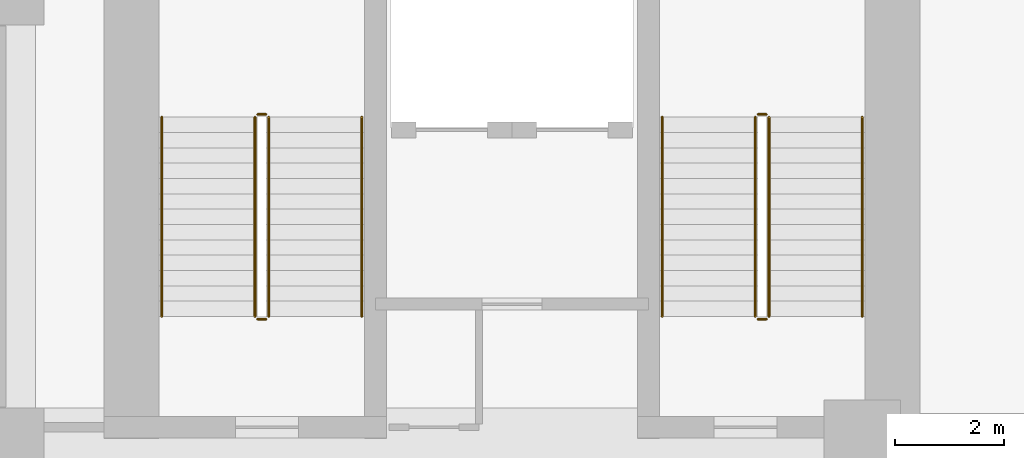
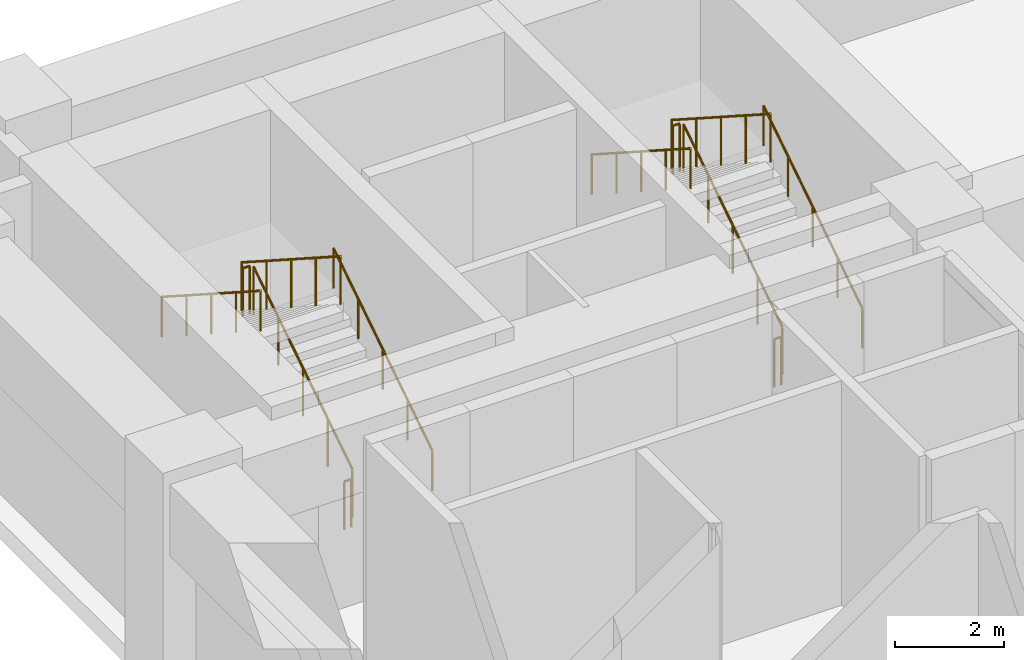
# One storey, part 5 of 6: 12 railings.
"""IFC4 building model written with IfcOpenShell, lengths in metres."""

from ifc_helpers import new_model, si_unit, direction, frame, origin, origin_2d, place, context, subcontext, project, spatial, circle, extrude, material, type_object, element, save


model = new_model("IFC4")

# Units and contexts
model_context = context("Model", 3, precision=1e-05, world=origin(), true_north=direction((0.0, 1.0)))
body_context = subcontext(model_context, "Body", "Model", "MODEL_VIEW")
ifc_project = project(units=[si_unit("LENGTHUNIT", "METRE"), si_unit("AREAUNIT", "SQUARE_METRE"), si_unit("VOLUMEUNIT", "CUBIC_METRE"), si_unit("PLANEANGLEUNIT", "RADIAN"), si_unit("MASSUNIT", "GRAM", prefix="KILO")], contexts=[model_context])

# Site, building, storey
site_placement = place(None, origin())
site = spatial("IfcSite", under=ifc_project, at=site_placement, CompositionType="ELEMENT")
building_placement = place(site_placement, origin())
building = spatial("IfcBuilding", under=site, at=building_placement, Name="Sulina Concourse Tower", CompositionType="ELEMENT")
storey_placement = place(building_placement, frame((0.0, 0.0, 17.550048828125)))
storey = spatial("IfcBuildingStorey", under=building, at=storey_placement, Name="L04", CompositionType="ELEMENT", Elevation=17.550048828125)

# Railings
ifc_material_1 = material(Name="Galvanised steel railing", Category="steel")
railing_type_1 = type_object("IfcRailingType", Name="Core Stair Steel Guardrail 1150mm", PredefinedType="GUARDRAIL", material=ifc_material_1)
railing_1_placement = place(storey_placement, frame((5.554931640625, 36.375, 0.180419921875)))
element("IfcRailing", 1, at=railing_1_placement, inside=storey, type_object=railing_type_1, Name="L04 ST-1 stair guard 1", PredefinedType="GUARDRAIL", context=body_context, shape_type="SweptSolid", body=[
    extrude(circle(Radius=0.02392578125, at=origin_2d()), frame((0.0, 0.0, 1.076171875), z_axis=(0.0, 0.840699961698, 0.541501222898), x_axis=(-1.0, 0.0, 0.0)), (0.0, 0.0, 1.0), 4.32958984375),
    extrude(circle(Radius=0.02099609375, at=origin_2d()), origin(), (0.0, 0.0, 1.0), 1.052001953125),
    extrude(circle(Radius=0.02099609375, at=origin_2d()), frame((0.0, 0.909912109375, 0.586181640625)), (0.0, 0.0, 1.0), 1.052001953125),
    extrude(circle(Radius=0.02099609375, at=origin_2d()), frame((0.0, 1.81982421875, 1.17236328125)), (0.0, 0.0, 1.0), 1.052001953125),
    extrude(circle(Radius=0.02099609375, at=origin_2d()), frame((0.0, 2.72998046875, 1.75830078125)), (0.0, 0.0, 1.0), 1.052001953125),
    extrude(circle(Radius=0.02099609375, at=origin_2d()), frame((0.0, 3.639892578125, 2.344482421875)), (0.0, 0.0, 1.0), 1.052001953125),
])
railing_2_placement = place(storey_placement, frame((5.5048828125, 40.06494140625, 2.52490234375)))
element("IfcRailing", 2, at=railing_2_placement, inside=storey, type_object=railing_type_1, Name="L04 ST-1 stair guard 2", PredefinedType="GUARDRAIL", context=body_context, shape_type="SweptSolid", body=[
    extrude(circle(Radius=0.02392578125, at=origin_2d()), frame((0.0, 0.0, 1.076171875), z_axis=(-1.0, 0.0, 0.0), x_axis=(0.0, -1.0, 0.0)), (0.0, 0.0, 1.0), 0.14990234375),
    extrude(circle(Radius=0.02099609375, at=origin_2d()), origin(), (0.0, 0.0, 1.0), 1.052001953125),
    extrude(circle(Radius=0.02099609375, at=origin_2d()), frame((-0.14990234375, 0.0, 0.0)), (0.0, 0.0, 1.0), 1.052001953125),
])
railing_3_placement = place(storey_placement, frame((5.304931640625, 40.014892578125, 2.705322265625)))
element("IfcRailing", 3, at=railing_3_placement, inside=storey, type_object=railing_type_1, Name="L04 ST-1 stair guard 3", PredefinedType="GUARDRAIL", context=body_context, shape_type="SweptSolid", body=[
    extrude(circle(Radius=0.02392578125, at=origin_2d()), frame((0.0, 0.0, 1.076171875), z_axis=(0.0, -0.840674291117, 0.541541075316), x_axis=(1.0, 0.0, 0.0)), (0.0, 0.0, 1.0), 4.329833984375),
    extrude(circle(Radius=0.02099609375, at=origin_2d()), origin(), (0.0, 0.0, 1.0), 1.052001953125),
    extrude(circle(Radius=0.02099609375, at=origin_2d()), frame((0.0, -0.909912109375, 0.586181640625)), (0.0, 0.0, 1.0), 1.052001953125),
    extrude(circle(Radius=0.02099609375, at=origin_2d()), frame((0.0, -1.81982421875, 1.17236328125)), (0.0, 0.0, 1.0), 1.052001953125),
    extrude(circle(Radius=0.02099609375, at=origin_2d()), frame((0.0, -2.72998046875, 1.758544921875)), (0.0, 0.0, 1.0), 1.052001953125),
    extrude(circle(Radius=0.02099609375, at=origin_2d()), frame((0.0, -3.639892578125, 2.3447265625)), (0.0, 0.0, 1.0), 1.052001953125),
])
railing_4_placement = place(storey_placement, frame((5.5048828125, 36.324951171875, 0.0)))
element("IfcRailing", 4, at=railing_4_placement, inside=storey, type_object=railing_type_1, Name="L04 ST-1 stair guard 4", PredefinedType="GUARDRAIL", context=body_context, shape_type="SweptSolid", body=[
    extrude(circle(Radius=0.02392578125, at=origin_2d()), frame((0.0, 0.0, 1.076171875), z_axis=(-1.0, 0.0, 0.0), x_axis=(0.0, -1.0, 0.0)), (0.0, 0.0, 1.0), 0.14990234375),
    extrude(circle(Radius=0.02099609375, at=origin_2d()), origin(), (0.0, 0.0, 1.0), 1.052001953125),
    extrude(circle(Radius=0.02099609375, at=origin_2d()), frame((-0.14990234375, 0.0, 0.0)), (0.0, 0.0, 1.0), 1.052001953125),
])
railing_5_placement = place(storey_placement, frame((14.695068359375, 36.375, 0.180419921875)))
element("IfcRailing", 5, at=railing_5_placement, inside=storey, type_object=railing_type_1, Name="L04 ST-2 stair guard 1", PredefinedType="GUARDRAIL", context=body_context, shape_type="SweptSolid", body=[
    extrude(circle(Radius=0.02392578125, at=origin_2d()), frame((0.0, 0.0, 1.076171875), z_axis=(0.0, 0.840699961698, 0.541501222898), x_axis=(-1.0, 0.0, 0.0)), (0.0, 0.0, 1.0), 4.32958984375),
    extrude(circle(Radius=0.02099609375, at=origin_2d()), origin(), (0.0, 0.0, 1.0), 1.052001953125),
    extrude(circle(Radius=0.02099609375, at=origin_2d()), frame((0.0, 0.909912109375, 0.586181640625)), (0.0, 0.0, 1.0), 1.052001953125),
    extrude(circle(Radius=0.02099609375, at=origin_2d()), frame((0.0, 1.81982421875, 1.17236328125)), (0.0, 0.0, 1.0), 1.052001953125),
    extrude(circle(Radius=0.02099609375, at=origin_2d()), frame((0.0, 2.72998046875, 1.75830078125)), (0.0, 0.0, 1.0), 1.052001953125),
    extrude(circle(Radius=0.02099609375, at=origin_2d()), frame((0.0, 3.639892578125, 2.344482421875)), (0.0, 0.0, 1.0), 1.052001953125),
])
railing_6_placement = place(storey_placement, frame((14.64501953125, 40.06494140625, 2.52490234375)))
element("IfcRailing", 6, at=railing_6_placement, inside=storey, type_object=railing_type_1, Name="L04 ST-2 stair guard 2", PredefinedType="GUARDRAIL", context=body_context, shape_type="SweptSolid", body=[
    extrude(circle(Radius=0.02392578125, at=origin_2d()), frame((0.0, 0.0, 1.076171875), z_axis=(-1.0, 0.0, 0.0), x_axis=(0.0, -1.0, 0.0)), (0.0, 0.0, 1.0), 0.14990234375),
    extrude(circle(Radius=0.02099609375, at=origin_2d()), origin(), (0.0, 0.0, 1.0), 1.052001953125),
    extrude(circle(Radius=0.02099609375, at=origin_2d()), frame((-0.14990234375, 0.0, 0.0)), (0.0, 0.0, 1.0), 1.052001953125),
])
railing_7_placement = place(storey_placement, frame((14.445068359375, 40.014892578125, 2.705322265625)))
element("IfcRailing", 7, at=railing_7_placement, inside=storey, type_object=railing_type_1, Name="L04 ST-2 stair guard 3", PredefinedType="GUARDRAIL", context=body_context, shape_type="SweptSolid", body=[
    extrude(circle(Radius=0.02392578125, at=origin_2d()), frame((0.0, 0.0, 1.076171875), z_axis=(0.0, -0.840674291117, 0.541541075316), x_axis=(1.0, 0.0, 0.0)), (0.0, 0.0, 1.0), 4.329833984375),
    extrude(circle(Radius=0.02099609375, at=origin_2d()), origin(), (0.0, 0.0, 1.0), 1.052001953125),
    extrude(circle(Radius=0.02099609375, at=origin_2d()), frame((0.0, -0.909912109375, 0.586181640625)), (0.0, 0.0, 1.0), 1.052001953125),
    extrude(circle(Radius=0.02099609375, at=origin_2d()), frame((0.0, -1.81982421875, 1.17236328125)), (0.0, 0.0, 1.0), 1.052001953125),
    extrude(circle(Radius=0.02099609375, at=origin_2d()), frame((0.0, -2.72998046875, 1.758544921875)), (0.0, 0.0, 1.0), 1.052001953125),
    extrude(circle(Radius=0.02099609375, at=origin_2d()), frame((0.0, -3.639892578125, 2.3447265625)), (0.0, 0.0, 1.0), 1.052001953125),
])
railing_8_placement = place(storey_placement, frame((14.64501953125, 36.324951171875, 0.0)))
element("IfcRailing", 8, at=railing_8_placement, inside=storey, type_object=railing_type_1, Name="L04 ST-2 stair guard 4", PredefinedType="GUARDRAIL", context=body_context, shape_type="SweptSolid", body=[
    extrude(circle(Radius=0.02392578125, at=origin_2d()), frame((0.0, 0.0, 1.076171875), z_axis=(-1.0, 0.0, 0.0), x_axis=(0.0, -1.0, 0.0)), (0.0, 0.0, 1.0), 0.14990234375),
    extrude(circle(Radius=0.02099609375, at=origin_2d()), origin(), (0.0, 0.0, 1.0), 1.052001953125),
    extrude(circle(Radius=0.02099609375, at=origin_2d()), frame((-0.14990234375, 0.0, 0.0)), (0.0, 0.0, 1.0), 1.052001953125),
])
ifc_material_2 = material(Name="Galvanised steel railing", Category="steel")
railing_type_2 = type_object("IfcRailingType", Name="Stair Wall Steel Handrail 920mm", PredefinedType="HANDRAIL", material=ifc_material_2)
railing_9_placement = place(storey_placement, frame((7.2548828125, 36.375, 0.180419921875)))
element("IfcRailing", 9, at=railing_9_placement, inside=storey, type_object=railing_type_2, Name="L04 ST-1 stair handrail 1", PredefinedType="HANDRAIL", context=body_context, shape_type="SweptSolid", body=[
    extrude(circle(Radius=0.02392578125, at=origin_2d()), frame((0.0, 0.0, 0.89599609375), z_axis=(0.0, 0.840699961698, 0.541501222898), x_axis=(-1.0, 0.0, 0.0)), (0.0, 0.0, 1.0), 4.32958984375),
    extrude(circle(Radius=0.02099609375, at=origin_2d()), origin(), (0.0, 0.0, 1.0), 0.871826171875),
    extrude(circle(Radius=0.02099609375, at=origin_2d()), frame((0.0, 0.909912109375, 0.586181640625)), (0.0, 0.0, 1.0), 0.871826171875),
    extrude(circle(Radius=0.02099609375, at=origin_2d()), frame((0.0, 1.81982421875, 1.17236328125)), (0.0, 0.0, 1.0), 0.871826171875),
    extrude(circle(Radius=0.02099609375, at=origin_2d()), frame((0.0, 2.72998046875, 1.75830078125)), (0.0, 0.0, 1.0), 0.871826171875),
    extrude(circle(Radius=0.02099609375, at=origin_2d()), frame((0.0, 3.639892578125, 2.344482421875)), (0.0, 0.0, 1.0), 0.871826171875),
])
railing_10_placement = place(storey_placement, frame((3.60498046875, 40.014892578125, 2.705322265625)))
element("IfcRailing", 10, at=railing_10_placement, inside=storey, type_object=railing_type_2, Name="L04 ST-1 stair handrail 2", PredefinedType="HANDRAIL", context=body_context, shape_type="SweptSolid", body=[
    extrude(circle(Radius=0.02392578125, at=origin_2d()), frame((0.0, 0.0, 0.89599609375), z_axis=(0.0, -0.840674291117, 0.541541075316), x_axis=(1.0, 0.0, 0.0)), (0.0, 0.0, 1.0), 4.329833984375),
    extrude(circle(Radius=0.02099609375, at=origin_2d()), origin(), (0.0, 0.0, 1.0), 0.871826171875),
    extrude(circle(Radius=0.02099609375, at=origin_2d()), frame((0.0, -0.909912109375, 0.586181640625)), (0.0, 0.0, 1.0), 0.871826171875),
    extrude(circle(Radius=0.02099609375, at=origin_2d()), frame((0.0, -1.81982421875, 1.17236328125)), (0.0, 0.0, 1.0), 0.871826171875),
    extrude(circle(Radius=0.02099609375, at=origin_2d()), frame((0.0, -2.72998046875, 1.758544921875)), (0.0, 0.0, 1.0), 0.871826171875),
    extrude(circle(Radius=0.02099609375, at=origin_2d()), frame((0.0, -3.639892578125, 2.3447265625)), (0.0, 0.0, 1.0), 0.871826171875),
])
railing_11_placement = place(storey_placement, frame((16.39501953125, 36.375, 0.180419921875)))
element("IfcRailing", 11, at=railing_11_placement, inside=storey, type_object=railing_type_2, Name="L04 ST-2 stair handrail 1", PredefinedType="HANDRAIL", context=body_context, shape_type="SweptSolid", body=[
    extrude(circle(Radius=0.02392578125, at=origin_2d()), frame((0.0, 0.0, 0.89599609375), z_axis=(0.0, 0.840699961698, 0.541501222898), x_axis=(-1.0, 0.0, 0.0)), (0.0, 0.0, 1.0), 4.32958984375),
    extrude(circle(Radius=0.02099609375, at=origin_2d()), origin(), (0.0, 0.0, 1.0), 0.871826171875),
    extrude(circle(Radius=0.02099609375, at=origin_2d()), frame((0.0, 0.909912109375, 0.586181640625)), (0.0, 0.0, 1.0), 0.871826171875),
    extrude(circle(Radius=0.02099609375, at=origin_2d()), frame((0.0, 1.81982421875, 1.17236328125)), (0.0, 0.0, 1.0), 0.871826171875),
    extrude(circle(Radius=0.02099609375, at=origin_2d()), frame((0.0, 2.72998046875, 1.75830078125)), (0.0, 0.0, 1.0), 0.871826171875),
    extrude(circle(Radius=0.02099609375, at=origin_2d()), frame((0.0, 3.639892578125, 2.344482421875)), (0.0, 0.0, 1.0), 0.871826171875),
])
railing_12_placement = place(storey_placement, frame((12.7451171875, 40.014892578125, 2.705322265625)))
element("IfcRailing", 12, at=railing_12_placement, inside=storey, type_object=railing_type_2, Name="L04 ST-2 stair handrail 2", PredefinedType="HANDRAIL", context=body_context, shape_type="SweptSolid", body=[
    extrude(circle(Radius=0.02392578125, at=origin_2d()), frame((0.0, 0.0, 0.89599609375), z_axis=(0.0, -0.840674291117, 0.541541075316), x_axis=(1.0, 0.0, 0.0)), (0.0, 0.0, 1.0), 4.329833984375),
    extrude(circle(Radius=0.02099609375, at=origin_2d()), origin(), (0.0, 0.0, 1.0), 0.871826171875),
    extrude(circle(Radius=0.02099609375, at=origin_2d()), frame((0.0, -0.909912109375, 0.586181640625)), (0.0, 0.0, 1.0), 0.871826171875),
    extrude(circle(Radius=0.02099609375, at=origin_2d()), frame((0.0, -1.81982421875, 1.17236328125)), (0.0, 0.0, 1.0), 0.871826171875),
    extrude(circle(Radius=0.02099609375, at=origin_2d()), frame((0.0, -2.72998046875, 1.758544921875)), (0.0, 0.0, 1.0), 0.871826171875),
    extrude(circle(Radius=0.02099609375, at=origin_2d()), frame((0.0, -3.639892578125, 2.3447265625)), (0.0, 0.0, 1.0), 0.871826171875),
])

save(model, "model.ifc")
